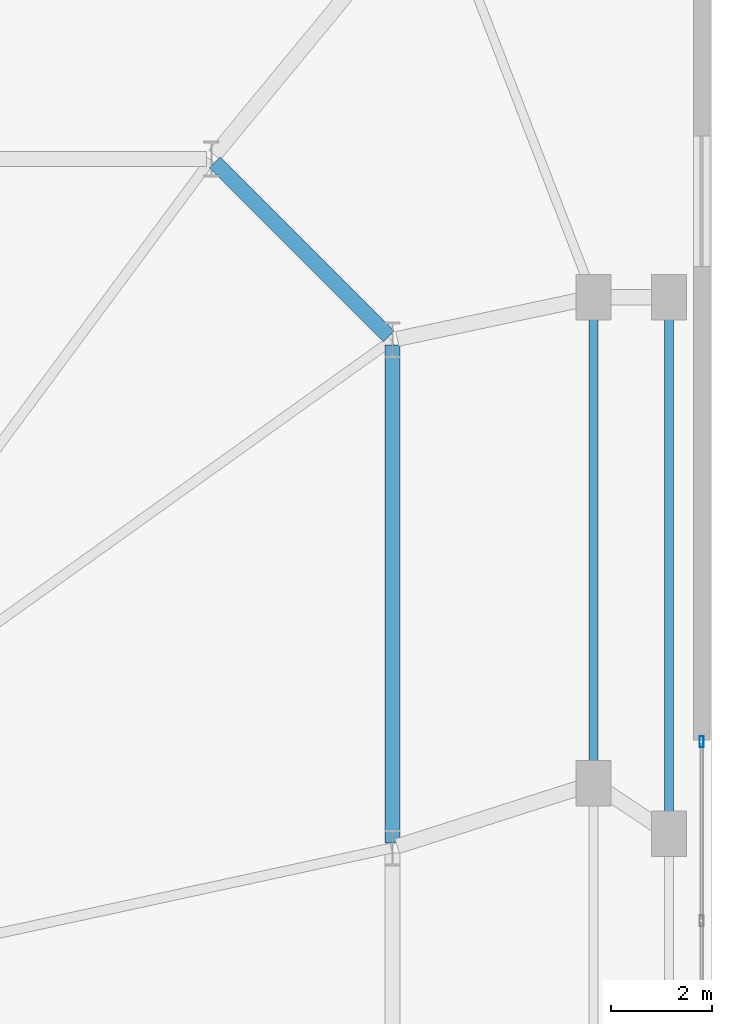
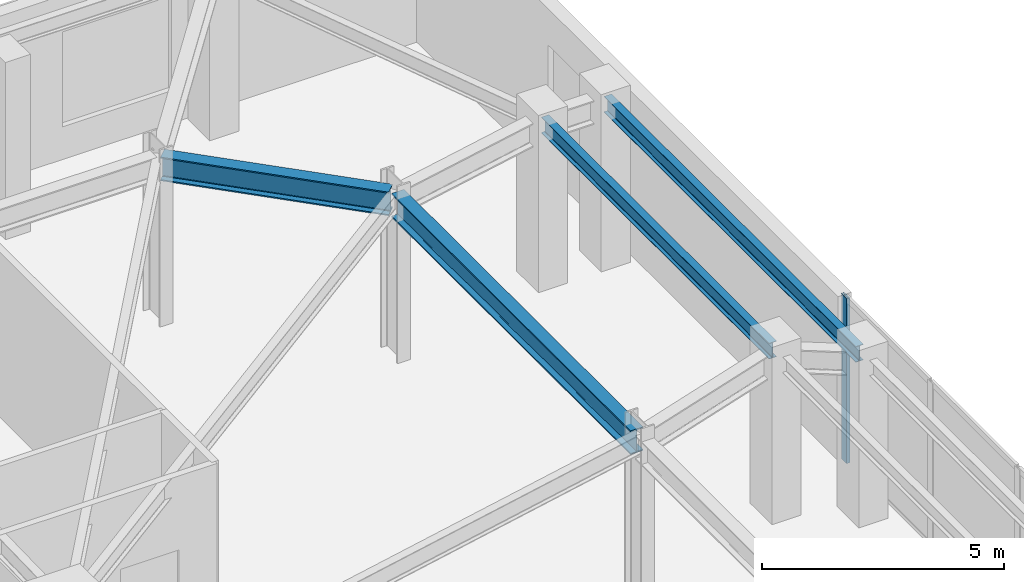
# One storey, part 12 of 23: 4 beams, 1 member, 1 element without a shape of its own.
"""IFC4 building model written with IfcOpenShell, lengths in metres."""

from ifc_helpers import new_model, si_unit, direction, frame, origin, origin_2d, place, context, subcontext, project, spatial, hollow_rectangle, i_section, extrude, material, layer, layer_set, material_profile, profile_set, type_object, element, aggregate, save


model = new_model("IFC4")

# Units and contexts
model_context = context("Model", 3, precision=1e-05, world=origin(), true_north=direction((0.0, 1.0)))
body_context = subcontext(model_context, "Body", "Model", "MODEL_VIEW")
ifc_project = project(units=[si_unit("LENGTHUNIT", "METRE"), si_unit("AREAUNIT", "SQUARE_METRE"), si_unit("VOLUMEUNIT", "CUBIC_METRE"), si_unit("PLANEANGLEUNIT", "RADIAN"), si_unit("MASSUNIT", "GRAM", prefix="KILO")], contexts=[model_context])

# Site, building, storey
site_placement = place(None, origin())
site = spatial("IfcSite", under=ifc_project, at=site_placement, CompositionType="ELEMENT")
building_placement = place(site_placement, origin())
building = spatial("IfcBuilding", under=site, at=building_placement, Name="Qobustan Lattice House", CompositionType="ELEMENT")
storey_placement = place(building_placement, frame((0.0, 0.0, 9.0)))
storey = spatial("IfcBuildingStorey", under=building, at=storey_placement, Name="L02", CompositionType="ELEMENT", Elevation=9.0)

# Beams
ifc_material_1 = material(Name="Steel S355", Category="steel")
ifc_material_profile_1 = material_profile(ifc_material_1, i_section(OverallWidth=0.300048828125, OverallDepth=0.60009765625, WebThickness=0.015380859375, FlangeThickness=0.030029296875, FilletRadius=0.027099609375, at=origin_2d()), Name="HEB600")
ifc_profile_set_1 = profile_set([ifc_material_profile_1], Name="Steel S355")
beam_type_1 = type_object("IfcBeamType", Name="BM-POD-HEB600", PredefinedType="USERDEFINED", material=ifc_profile_set_1)
beam_1_placement = place(storey_placement, frame((32.14990234375, 5.14990234375, 3.8701171875), z_axis=(0.0, 1.0, 0.0), x_axis=(-1.0, 0.0, 0.0)))
element("IfcBeam", 1, at=beam_1_placement, inside=storey, type_object=beam_type_1, Name="L02 tower base ring girder E3-E4", ObjectType="GIRDER", PredefinedType="USERDEFINED", context=body_context, shape_type="SweptSolid", body=[
    extrude(i_section(OverallWidth=0.300048828125, OverallDepth=0.60009765625, WebThickness=0.015380859375, FlangeThickness=0.030029296875, FilletRadius=0.027099609375, at=origin_2d()), origin(), (0.0, 0.0, 1.0), 9.900146484375),
])
beam_2_placement = place(storey_placement, frame((32.079345703125, 15.220703125, 3.8701171875), z_axis=(-0.70713173775, 0.707081823743, 0.0), x_axis=(-0.707081823743, -0.70713173775, 0.0)))
element("IfcBeam", 2, at=beam_2_placement, inside=storey, type_object=beam_type_1, Name="L02 tower base ring girder E4-N1", ObjectType="GIRDER", PredefinedType="USERDEFINED", context=body_context, shape_type="SweptSolid", body=[
    extrude(i_section(OverallWidth=0.300048828125, OverallDepth=0.60009765625, WebThickness=0.015380859375, FlangeThickness=0.030029296875, FilletRadius=0.027099609375, at=origin_2d()), origin(), (0.0, 0.0, 1.0), 4.89111328125),
])
ifc_material_2 = material(Name="Steel S355", Category="steel")
ifc_material_profile_2 = material_profile(ifc_material_2, i_section(OverallWidth=0.179931640625, OverallDepth=0.39990234375, WebThickness=0.008544921875, FlangeThickness=0.013427734375, FilletRadius=0.02099609375, at=origin_2d()), Name="IPE400")
ifc_profile_set_2 = profile_set([ifc_material_profile_2], Name="Steel S355")
beam_type_2 = type_object("IfcBeamType", Name="BM-SPD-IPE400", PredefinedType="SPANDREL", material=ifc_profile_set_2)
beam_3_placement = place(storey_placement, frame((36.14990234375, 6.453369140625, 3.969970703125), z_axis=(0.0, 1.0, 0.0), x_axis=(-1.0, 0.0, 0.0)))
element("IfcBeam", 3, at=beam_3_placement, inside=storey, type_object=beam_type_2, Name="L02 podium spandrel PE3-PE4", PredefinedType="SPANDREL", context=body_context, shape_type="SweptSolid", body=[
    extrude(i_section(OverallWidth=0.179931640625, OverallDepth=0.39990234375, WebThickness=0.008544921875, FlangeThickness=0.013427734375, FilletRadius=0.02099609375, at=origin_2d()), origin(), (0.0, 0.0, 1.0), 9.4267578125),
])
beam_4_placement = place(storey_placement, frame((37.64990234375, 5.453369140625, 3.969970703125), z_axis=(0.0, 1.0, 0.0), x_axis=(-1.0, 0.0, 0.0)))
element("IfcBeam", 4, at=beam_4_placement, inside=storey, type_object=beam_type_2, Name="L02 lower podium spandrel PEL3-PEL4", PredefinedType="SPANDREL", context=body_context, shape_type="SweptSolid", body=[
    extrude(i_section(OverallWidth=0.179931640625, OverallDepth=0.39990234375, WebThickness=0.008544921875, FlangeThickness=0.013427734375, FilletRadius=0.02099609375, at=origin_2d()), origin(), (0.0, 0.0, 1.0), 10.4267578125),
])

# Curtain wall, member
ifc_material_3 = material(Name="Anodised aluminium and low-E glazing", Category="aluminium")
ifc_layer = layer(ifc_material_3, 0.219970703125)
ifc_layer_set = layer_set([ifc_layer], Name="Anodised aluminium and low-E glazing")
curtain_wall_type = type_object("IfcCurtainWallType", Name="CW-POD-01", PredefinedType="USERDEFINED", material=ifc_layer_set)
curtain_wall_placement = place(storey_placement, origin())
curtain_wall = element("IfcCurtainWall", 5, at=curtain_wall_placement, inside=storey, type_object=curtain_wall_type, Name="L02 E podium colonnade curtain wall", ObjectType="CURTAIN WALL", PredefinedType="USERDEFINED")
ifc_material_4 = material(Name="Anodised aluminium EN AW-6063 T6", Category="aluminium")
ifc_material_profile_3 = material_profile(ifc_material_4, hollow_rectangle(XDim=0.080078125, YDim=0.219970703125, WallThickness=0.0048828125, at=origin_2d()), Name="CWM-220x80")
ifc_profile_set_3 = profile_set([ifc_material_profile_3], Name="Anodised aluminium EN AW-6063 T6")
member_type = type_object("IfcMemberType", Name="CWM-MAIN-220", PredefinedType="MULLION", material=ifc_profile_set_3)
member_placement = place(storey_placement, frame((38.300048828125, 7.159912109375, 0.0), z_axis=(0.0, 0.0, 1.0), x_axis=(1.0, 0.0, 0.0)))
member = element("IfcMember", 6, at=member_placement, type_object=member_type, Name="CW-P1 mullion 1", PredefinedType="MULLION", context=body_context, shape_type="SweptSolid", body=[
    extrude(hollow_rectangle(XDim=0.080078125, YDim=0.219970703125, WallThickness=0.0048828125, at=origin_2d()), origin(), (0.0, 0.0, 1.0), 4.169921875),
])
aggregate(curtain_wall, [member])

save(model, "model.ifc")
